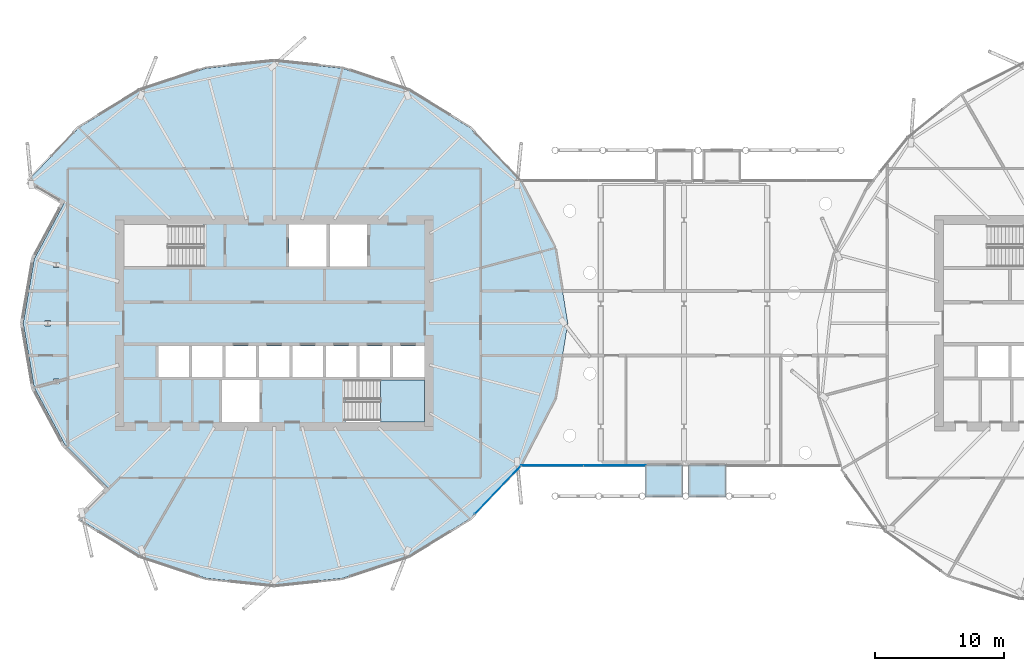
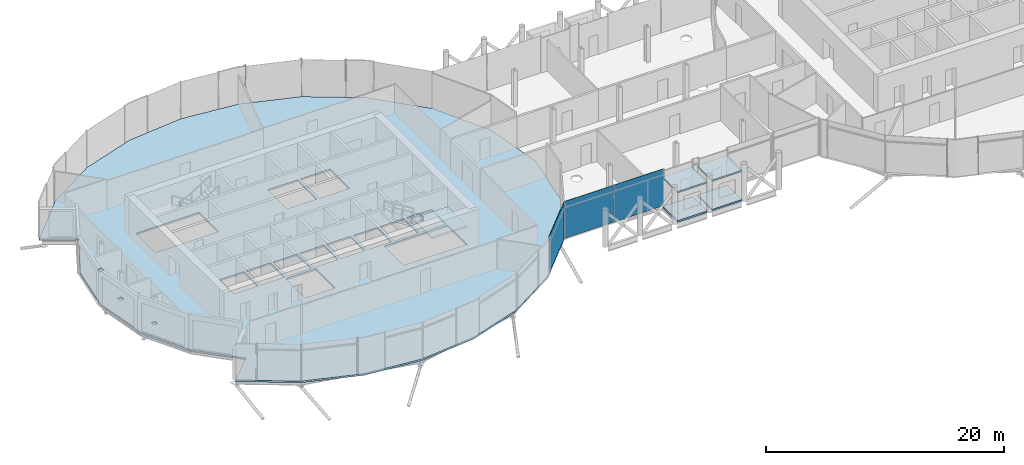
# One storey, part 19 of 39: 6 slabs, 3 plates, 3 elements without a shape of their own.
"""IFC4 building model written with IfcOpenShell, lengths in metres."""

from ifc_helpers import new_model, si_unit, direction, frame, origin, origin_2d, place, context, subcontext, project, spatial, polyline, rectangle, outline, extrude, material, layer, layer_set, type_object, element, aggregate, save


model = new_model("IFC4")

# Units and contexts
model_context = context("Model", 3, precision=1e-05, world=origin(), true_north=direction((0.0, 1.0)))
body_context = subcontext(model_context, "Body", "Model", "MODEL_VIEW")
ifc_project = project(units=[si_unit("LENGTHUNIT", "METRE"), si_unit("AREAUNIT", "SQUARE_METRE"), si_unit("VOLUMEUNIT", "CUBIC_METRE"), si_unit("PLANEANGLEUNIT", "RADIAN"), si_unit("MASSUNIT", "GRAM", prefix="KILO")], contexts=[model_context])

# Site, building, storey
site_placement = place(None, origin())
site = spatial("IfcSite", under=ifc_project, at=site_placement, CompositionType="ELEMENT")
building_placement = place(site_placement, origin())
building = spatial("IfcBuilding", under=site, at=building_placement, Name="Rimbun Link Towers", CompositionType="ELEMENT")
storey_placement = place(building_placement, frame((0.0, 0.0, 139.199951171875)))
storey = spatial("IfcBuildingStorey", under=building, at=storey_placement, Name="L33", CompositionType="ELEMENT", Elevation=139.199951171875)

# Slabs
ifc_material_1 = material(Name="Insulated metal floor panel on steel frame", Category="steel")
ifc_layer_1 = layer(ifc_material_1, 0.159912109375)
ifc_layer_set_1 = layer_set([ifc_layer_1], Name="CAPSULE floor panel 160")
slab_type_1 = type_object("IfcSlabType", Name="CAPSULE floor panel 160", PredefinedType="FLOOR", material=ifc_layer_set_1)
slab_1_placement = place(storey_placement, frame((0.0, 0.0, -0.219970703125)))
element("IfcSlab", 1, at=slab_1_placement, inside=storey, type_object=slab_type_1, Name="CAPSULE F33.11 floor panel", PredefinedType="FLOOR", context=body_context, shape_type="SweptSolid", body=[
    extrude(outline(polyline([(-0.105712890625, -11.0), (-3.005615234375, -11.0), (-3.005615234375, -13.449951171875), (-0.105712890625, -13.449951171875), (-0.105712890625, -11.0)])), origin(), (0.0, 0.0, 1.0), 0.159912109375),
])
slab_2_placement = place(storey_placement, frame((0.0, 0.0, -0.219970703125)))
element("IfcSlab", 2, at=slab_2_placement, inside=storey, type_object=slab_type_1, Name="CAPSULE F33.12 floor panel", PredefinedType="FLOOR", context=body_context, shape_type="SweptSolid", body=[
    extrude(outline(polyline([(3.26318359375, -11.0), (0.36328125, -11.0), (0.36328125, -13.449951171875), (3.26318359375, -13.449951171875), (3.26318359375, -11.0)])), origin(), (0.0, 0.0, 1.0), 0.159912109375),
])
ifc_material_2 = material(Name="Insulated metal roof panel with terracotta fascia", Category="masonry")
ifc_layer_2 = layer(ifc_material_2, 0.14990234375)
ifc_layer_set_2 = layer_set([ifc_layer_2], Name="CAPSULE roof panel 150")
slab_type_2 = type_object("IfcSlabType", Name="CAPSULE roof panel 150", PredefinedType="ROOF", material=ifc_layer_set_2)
slab_3_placement = place(storey_placement, frame((0.0, 0.0, 2.7900390625)))
element("IfcSlab", 3, at=slab_3_placement, inside=storey, type_object=slab_type_2, Name="CAPSULE F33.11 roof panel", PredefinedType="ROOF", context=body_context, shape_type="SweptSolid", body=[
    extrude(outline(polyline([(-3.005615234375, -13.449951171875), (-0.105712890625, -13.449951171875), (-0.105712890625, -10.949951171875), (-3.005615234375, -10.949951171875), (-3.005615234375, -13.449951171875)])), origin(), (0.0, 0.0, 1.0), 0.14990234375),
])
slab_4_placement = place(storey_placement, frame((0.0, 0.0, 2.7900390625)))
element("IfcSlab", 4, at=slab_4_placement, inside=storey, type_object=slab_type_2, Name="CAPSULE F33.12 roof panel", PredefinedType="ROOF", context=body_context, shape_type="SweptSolid", body=[
    extrude(outline(polyline([(0.36328125, -13.449951171875), (3.26318359375, -13.449951171875), (3.26318359375, -10.949951171875), (0.36328125, -10.949951171875), (0.36328125, -13.449951171875)])), origin(), (0.0, 0.0, 1.0), 0.14990234375),
])
ifc_material_3 = material(Name="Concrete C35/45", Category="concrete")
ifc_layer_3 = layer(ifc_material_3, 0.179931640625)
ifc_layer_set_3 = layer_set([ifc_layer_3], Name="COMPOSITE FLOOR 180")
slab_type_3 = type_object("IfcSlabType", Name="COMPOSITE FLOOR 180", PredefinedType="FLOOR", material=ifc_layer_set_3)
slab_5_placement = place(storey_placement, frame((0.0, 0.0, -0.179931640625)))
element("IfcSlab", 5, at=slab_5_placement, inside=storey, type_object=slab_type_3, Name="Floor slab T1 L33", PredefinedType="FLOOR", context=body_context, shape_type="SweptSolid", body=[
    extrude(outline(polyline([(-46.904296875, 15.154296875), (-42.175537109375, 18.0576171875), (-37.044189453125, 19.758056640625), (-31.75, 20.315673828125), (-26.455810546875, 19.758056640625), (-21.324462890625, 18.0576171875), (-16.595703125, 15.154296875), (-12.643310546875, 11.03125), (-9.956787109375, 5.839599609375), (-8.99658203125, 0.0), (-9.956787109375, -5.839599609375), (-12.643310546875, -11.03125), (-16.595703125, -15.154296875), (-21.324462890625, -18.0576171875), (-26.455810546875, -19.758056640625), (-31.75, -20.315673828125), (-37.044189453125, -19.758056640625), (-42.175537109375, -18.0576171875), (-46.904296875, -15.154296875), (-44.57080078125, -12.82080078125), (-47.9990234375, -9.38134765625), (-50.355712890625, -4.9853515625), (-51.20361328125, 0.0), (-50.355712890625, 4.9853515625), (-47.9990234375, 9.38134765625), (-50.856689453125, 11.03125), (-46.904296875, 15.154296875)]), holes=[polyline([(-32.89990234375, -7.64990234375), (-32.89990234375, -4.39990234375), (-35.800048828125, -4.39990234375), (-35.800048828125, -7.64990234375), (-32.89990234375, -7.64990234375)]), polyline([(-48.439453125, -4.72216796875), (-48.439453125, -4.32861328125), (-48.83837890625, -4.32861328125), (-48.83837890625, -4.72216796875), (-48.439453125, -4.72216796875)]), polyline([(-38.361083984375, -4.14990234375), (-38.361083984375, -1.75), (-40.70556640625, -1.75), (-40.70556640625, -4.14990234375), (-38.361083984375, -4.14990234375)]), polyline([(-35.7666015625, -4.14990234375), (-35.7666015625, -1.75), (-38.111083984375, -1.75), (-38.111083984375, -4.14990234375), (-35.7666015625, -4.14990234375)]), polyline([(-33.172119140625, -4.14990234375), (-33.172119140625, -1.75), (-35.5166015625, -1.75), (-35.5166015625, -4.14990234375), (-33.172119140625, -4.14990234375)]), polyline([(-49.0986328125, -0.19677734375), (-49.0986328125, 0.19677734375), (-49.497802734375, 0.19677734375), (-49.497802734375, -0.19677734375), (-49.0986328125, -0.19677734375)]), polyline([(-48.439453125, 4.32861328125), (-48.439453125, 4.72216796875), (-48.83837890625, 4.72216796875), (-48.83837890625, 4.32861328125), (-48.439453125, 4.32861328125)]), polyline([(-37.260009765625, 4.39990234375), (-37.260009765625, 7.64990234375), (-43.39990234375, 7.64990234375), (-43.39990234375, 4.39990234375), (-37.260009765625, 4.39990234375)]), polyline([(-20.10009765625, -7.64990234375), (-20.10009765625, -4.39990234375), (-26.239990234375, -4.39990234375), (-26.239990234375, -7.64990234375), (-20.10009765625, -7.64990234375)]), polyline([(-30.577880859375, -4.14990234375), (-30.577880859375, -1.75), (-32.922119140625, -1.75), (-32.922119140625, -4.14990234375), (-30.577880859375, -4.14990234375)]), polyline([(-27.9833984375, -4.14990234375), (-27.9833984375, -1.75), (-30.327880859375, -1.75), (-30.327880859375, -4.14990234375), (-27.9833984375, -4.14990234375)]), polyline([(-25.388916015625, -4.14990234375), (-25.388916015625, -1.75), (-27.7333984375, -1.75), (-27.7333984375, -4.14990234375), (-25.388916015625, -4.14990234375)]), polyline([(-22.79443359375, -4.14990234375), (-22.79443359375, -1.75), (-25.138916015625, -1.75), (-25.138916015625, -4.14990234375), (-22.79443359375, -4.14990234375)]), polyline([(-20.10009765625, -4.14990234375), (-20.10009765625, -1.75), (-22.54443359375, -1.75), (-22.54443359375, -4.14990234375), (-20.10009765625, -4.14990234375)]), polyline([(-27.699951171875, 4.39990234375), (-27.699951171875, 7.64990234375), (-30.60009765625, 7.64990234375), (-30.60009765625, 4.39990234375), (-27.699951171875, 4.39990234375)]), polyline([(-24.550048828125, 4.39990234375), (-24.550048828125, 7.64990234375), (-27.449951171875, 7.64990234375), (-27.449951171875, 4.39990234375), (-24.550048828125, 4.39990234375)])]), origin(), (0.0, 0.0, 1.0), 0.179931640625),
])

# Curtain wall, plate
ifc_material_4 = material(Name="Aluminium 6063-T6 and low-iron glass", Category="aluminium")
curtain_wall_type = type_object("IfcCurtainWallType", Name="CW4 link block wall", PredefinedType="NOTDEFINED", material=ifc_material_4)
curtain_wall_1_placement = place(storey_placement, origin())
curtain_wall_1 = element("IfcCurtainWall", 6, at=curtain_wall_1_placement, inside=storey, type_object=curtain_wall_type, Name="CW4 L33 T1", PredefinedType="NOTDEFINED")
ifc_material_5 = material(Name="Low-iron glass, laminated low-e unit", Category="glass")
ifc_layer_4 = layer(ifc_material_5, 0.028076171875)
ifc_layer_set_4 = layer_set([ifc_layer_4], Name="CW4 panel Low-iron glass 28")
plate_type = type_object("IfcPlateType", Name="CW4 panel Low-iron glass 28", PredefinedType="CURTAIN_PANEL", material=ifc_layer_set_4)
plate_1_placement = place(storey_placement, frame((-14.419189453125, -12.90380859375, 0.0), z_axis=(0.0, 0.0, 1.0), x_axis=(-0.692041109252, -0.721858090698, 0.0)))
plate_1 = element("IfcPlate", 7, at=plate_1_placement, type_object=plate_type, Name="CW4 panel", PredefinedType="CURTAIN_PANEL", context=body_context, shape_type="SweptSolid", body=[
    extrude(rectangle(XDim=5.12158203125, YDim=0.028076171875, at=origin_2d()), origin(), (0.0, 0.0, 1.0), 3.800048828125),
])
aggregate(curtain_wall_1, [plate_1])

# Curtain wall, plates
curtain_wall_2_placement = place(storey_placement, origin())
curtain_wall_2 = element("IfcCurtainWall", 8, at=curtain_wall_2_placement, inside=storey, type_object=curtain_wall_type, Name="CW4 L33 LB", PredefinedType="NOTDEFINED")
plate_2_placement = place(storey_placement, frame((-5.37353515625, -11.013916015625, 0.0), z_axis=(0.0, 0.0, 1.0), x_axis=(-1.0, 0.0, 0.0)))
plate_2 = element("IfcPlate", 9, at=plate_2_placement, type_object=plate_type, Name="CW4 panel", PredefinedType="CURTAIN_PANEL", context=body_context, shape_type="SweptSolid", body=[
    extrude(rectangle(XDim=4.795654296875, YDim=0.028076171875, at=origin_2d()), origin(), (0.0, 0.0, 1.0), 3.800048828125),
])
plate_3_placement = place(storey_placement, frame((-10.209228515625, -11.013916015625, 0.0), z_axis=(0.0, 0.0, 1.0), x_axis=(-1.0, 0.0, 0.0)))
plate_3 = element("IfcPlate", 10, at=plate_3_placement, type_object=plate_type, Name="CW4 panel", PredefinedType="CURTAIN_PANEL", context=body_context, shape_type="SweptSolid", body=[
    extrude(rectangle(XDim=4.795654296875, YDim=0.028076171875, at=origin_2d()), origin(), (0.0, 0.0, 1.0), 3.800048828125),
])
aggregate(curtain_wall_2, [plate_2, plate_3])

# Stair, slab
ifc_material_6 = material(Name="Concrete C40/50", Category="concrete")
stair_type = type_object("IfcStairType", Name="Exit stair 3800 rise", PredefinedType="HALF_TURN_STAIR", material=ifc_material_6)
stair_placement = place(storey_placement, origin())
stair = element("IfcStair", 11, at=stair_placement, inside=storey, type_object=stair_type, Name="L33 EXIT STAIR B", PredefinedType="HALF_TURN_STAIR")
ifc_material_7 = material(Name="Concrete C40/50", Category="concrete")
ifc_layer_5 = layer(ifc_material_7, 0.199951171875)
ifc_layer_set_5 = layer_set([ifc_layer_5], Name="Stair landing")
slab_type_4 = type_object("IfcSlabType", Name="Stair landing", PredefinedType="LANDING", material=ifc_layer_set_5)
slab_6_placement = place(storey_placement, frame((0.0, 0.0, 1.699951171875)))
slab_6 = element("IfcSlab", 12, at=slab_6_placement, type_object=slab_type_4, Name="ST2 landing 1", PredefinedType="LANDING", context=body_context, shape_type="SweptSolid", body=[
    extrude(outline(polyline([(-23.5, -7.64990234375), (-20.10009765625, -7.64990234375), (-20.10009765625, -4.39990234375), (-23.5, -4.39990234375), (-23.5, -7.64990234375)])), origin(), (0.0, 0.0, 1.0), 0.2001953125),
])
aggregate(stair, [slab_6])

save(model, "model.ifc")
